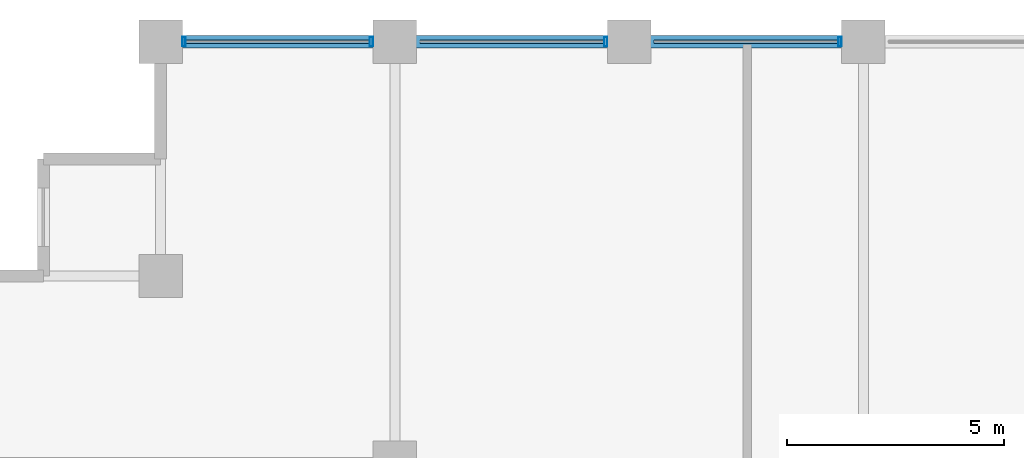
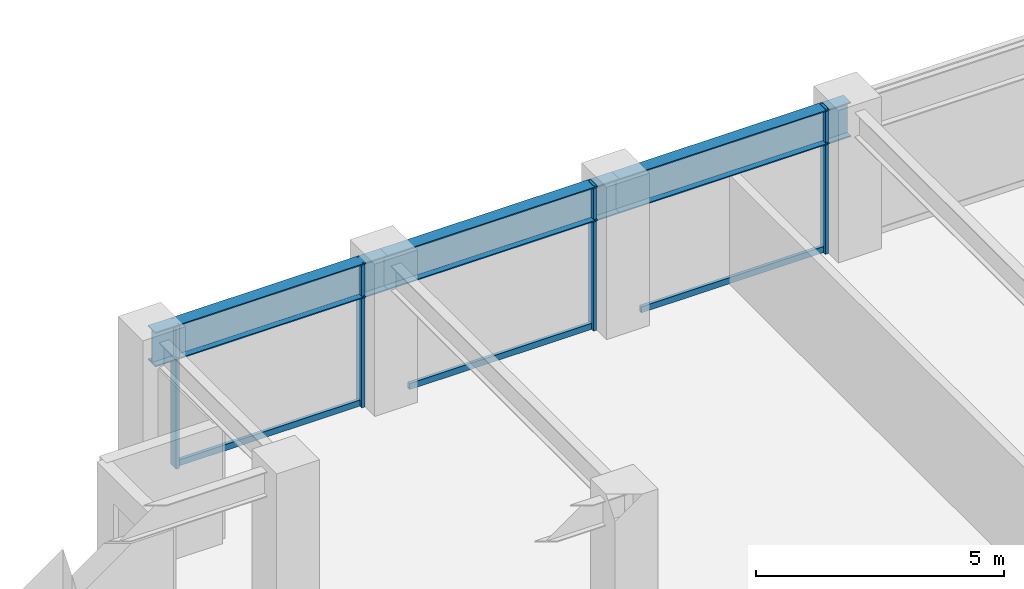
# One storey, part 13 of 26: 7 members, 3 beams, 1 element without a shape of its own.
"""IFC4 building model written with IfcOpenShell, lengths in metres."""

from ifc_helpers import new_model, si_unit, direction, frame, origin, origin_2d, place, context, subcontext, project, spatial, hollow_rectangle, i_section, extrude, material, layer, layer_set, material_profile, profile_set, type_object, element, aggregate, save


model = new_model("IFC4")

# Units and contexts
model_context = context("Model", 3, precision=1e-05, world=origin(), true_north=direction((0.0, 1.0)))
body_context = subcontext(model_context, "Body", "Model", "MODEL_VIEW")
ifc_project = project(units=[si_unit("LENGTHUNIT", "METRE"), si_unit("AREAUNIT", "SQUARE_METRE"), si_unit("VOLUMEUNIT", "CUBIC_METRE"), si_unit("PLANEANGLEUNIT", "RADIAN"), si_unit("MASSUNIT", "GRAM", prefix="KILO")], contexts=[model_context])

# Site, building, storey
site_placement = place(None, origin())
site = spatial("IfcSite", under=ifc_project, at=site_placement, CompositionType="ELEMENT")
building_placement = place(site_placement, origin())
building = spatial("IfcBuilding", under=site, at=building_placement, Name="Surkhivell Harbour Commons", CompositionType="ELEMENT")
storey_placement = place(building_placement, frame((0.0, 0.0, 143.25)))
storey = spatial("IfcBuildingStorey", under=building, at=storey_placement, Name="L37", CompositionType="ELEMENT", Elevation=143.25)

# Beams
ifc_material_1 = material(Name="Steel S460", Category="steel")
ifc_material_profile_1 = material_profile(ifc_material_1, i_section(OverallWidth=0.2939453125, OverallDepth=0.85107421875, WebThickness=0.01611328125, FlangeThickness=0.02685546875, at=origin_2d()), Name="UB838x292x226")
ifc_profile_set_1 = profile_set([ifc_material_profile_1], Name="Steel S460")
beam_type = type_object("IfcBeamType", Name="BM-SPN-838", PredefinedType="SPANDREL", material=ifc_profile_set_1)
beam_1_placement = place(storey_placement, frame((-27.0, 25.89990234375, 3.14453125), z_axis=(1.0, 0.0, 0.0), x_axis=(0.0, 1.0, 0.0)))
element("IfcBeam", 1, at=beam_1_placement, inside=storey, type_object=beam_type, Name="L37 Tube Spandrel (-27.0,25.9)", PredefinedType="SPANDREL", context=body_context, shape_type="SweptSolid", body=[
    extrude(i_section(OverallWidth=0.2939453125, OverallDepth=0.85107421875, WebThickness=0.01611328125, FlangeThickness=0.02685546875, at=origin_2d()), origin(), (0.0, 0.0, 1.0), 5.39990234375),
])
beam_2_placement = place(storey_placement, frame((-21.60009765625, 25.89990234375, 3.14453125), z_axis=(1.0, 0.0, 0.0), x_axis=(0.0, 1.0, 0.0)))
element("IfcBeam", 2, at=beam_2_placement, inside=storey, type_object=beam_type, Name="L37 Tube Spandrel (-21.6,25.9)", PredefinedType="SPANDREL", context=body_context, shape_type="SweptSolid", body=[
    extrude(i_section(OverallWidth=0.2939453125, OverallDepth=0.85107421875, WebThickness=0.01611328125, FlangeThickness=0.02685546875, at=origin_2d()), origin(), (0.0, 0.0, 1.0), 5.400146484375),
])
beam_3_placement = place(storey_placement, frame((-16.199951171875, 25.89990234375, 3.14453125), z_axis=(1.0, 0.0, 0.0), x_axis=(0.0, 1.0, 0.0)))
element("IfcBeam", 3, at=beam_3_placement, inside=storey, type_object=beam_type, Name="L37 Tube Spandrel (-16.2,25.9)", PredefinedType="SPANDREL", context=body_context, shape_type="SweptSolid", body=[
    extrude(i_section(OverallWidth=0.2939453125, OverallDepth=0.85107421875, WebThickness=0.01611328125, FlangeThickness=0.02685546875, at=origin_2d()), origin(), (0.0, 0.0, 1.0), 5.39990234375),
])

# Curtain wall, members
ifc_material_2 = material(Name="Anodised pale-metal aluminium and insulated glazing", Category="aluminium")
ifc_layer = layer(ifc_material_2, 0.205078125)
ifc_layer_set = layer_set([ifc_layer], Name="Anodised pale-metal aluminium and insulated glazing")
curtain_wall_type = type_object("IfcCurtainWallType", Name="CW-SYS-Z2", PredefinedType="NOTDEFINED", material=ifc_layer_set)
curtain_wall_placement = place(storey_placement, origin())
curtain_wall = element("IfcCurtainWall", 4, at=curtain_wall_placement, inside=storey, type_object=curtain_wall_type, Name="L37 Curtain Wall CW-L37-E07S2", PredefinedType="NOTDEFINED")
ifc_material_3 = material(Name="Anodised pale-metal aluminium alloy 6063-T6", Category="aluminium")
ifc_material_profile_2 = material_profile(ifc_material_3, hollow_rectangle(XDim=0.074951171875, YDim=0.219970703125, WallThickness=0.00390625, at=origin_2d()), Name="ALU-MULL-75x220")
ifc_profile_set_2 = profile_set([ifc_material_profile_2], Name="Anodised pale-metal aluminium alloy 6063-T6")
member_type_1 = type_object("IfcMemberType", Name="CWM-220", PredefinedType="MULLION", material=ifc_profile_set_2)
member_1_placement = place(storey_placement, frame((-11.339599609375, 25.89990234375, 0.0), z_axis=(0.0, 0.0, 1.0), x_axis=(-1.0, 0.0, 0.0)))
member_1 = element("IfcMember", 5, at=member_1_placement, type_object=member_type_1, Name="CW-Z2 mullion 2", PredefinedType="MULLION", context=body_context, shape_type="SweptSolid", body=[
    extrude(hollow_rectangle(XDim=0.074951171875, YDim=0.219970703125, WallThickness=0.00390625, at=origin_2d()), origin(), (0.0, 0.0, 1.0), 3.570068359375),
])
member_2_placement = place(storey_placement, frame((-16.739501953125, 25.89990234375, 0.0), z_axis=(0.0, 0.0, 1.0), x_axis=(-1.0, 0.0, 0.0)))
member_2 = element("IfcMember", 6, at=member_2_placement, type_object=member_type_1, Name="CW-Z2 mullion 3", PredefinedType="MULLION", context=body_context, shape_type="SweptSolid", body=[
    extrude(hollow_rectangle(XDim=0.074951171875, YDim=0.219970703125, WallThickness=0.00390625, at=origin_2d()), origin(), (0.0, 0.0, 1.0), 3.570068359375),
])
member_3_placement = place(storey_placement, frame((-22.139404296875, 25.89990234375, 0.0), z_axis=(0.0, 0.0, 1.0), x_axis=(-1.0, 0.0, 0.0)))
member_3 = element("IfcMember", 7, at=member_3_placement, type_object=member_type_1, Name="CW-Z2 mullion 4", PredefinedType="MULLION", context=body_context, shape_type="SweptSolid", body=[
    extrude(hollow_rectangle(XDim=0.074951171875, YDim=0.219970703125, WallThickness=0.00390625, at=origin_2d()), origin(), (0.0, 0.0, 1.0), 3.570068359375),
])
member_4_placement = place(storey_placement, frame((-26.46044921875, 25.89990234375, 0.0), z_axis=(0.0, 0.0, 1.0), x_axis=(-1.0, 0.0, 0.0)))
member_4 = element("IfcMember", 8, at=member_4_placement, type_object=member_type_1, Name="CW-Z2 mullion 5", PredefinedType="MULLION", context=body_context, shape_type="SweptSolid", body=[
    extrude(hollow_rectangle(XDim=0.074951171875, YDim=0.219970703125, WallThickness=0.00390625, at=origin_2d()), origin(), (0.0, 0.0, 1.0), 3.570068359375),
])
ifc_material_profile_3 = material_profile(ifc_material_3, hollow_rectangle(XDim=0.074951171875, YDim=0.14990234375, WallThickness=0.00341796875, at=origin_2d()), Name="ALU-TRAN-75x150")
ifc_profile_set_3 = profile_set([ifc_material_profile_3], Name="Anodised pale-metal aluminium alloy 6063-T6")
member_type_2 = type_object("IfcMemberType", Name="CWT-150", PredefinedType="USERDEFINED", material=ifc_profile_set_3)
member_5_placement = place(storey_placement, frame((-11.376953125, 25.89990234375, 0.074951171875), z_axis=(-1.0, 0.0, 0.0), x_axis=(0.0, -1.0, 0.0)))
member_5 = element("IfcMember", 9, at=member_5_placement, type_object=member_type_2, Name="CW-Z2 transom 2.1", ObjectType="TRANSOM", PredefinedType="USERDEFINED", context=body_context, shape_type="SweptSolid", body=[
    extrude(hollow_rectangle(XDim=0.074951171875, YDim=0.14990234375, WallThickness=0.00341796875, at=origin_2d()), origin(), (0.0, 0.0, 1.0), 4.24609375),
])
member_6_placement = place(storey_placement, frame((-16.777099609375, 25.89990234375, 0.074951171875), z_axis=(-1.0, 0.0, 0.0), x_axis=(0.0, -1.0, 0.0)))
member_6 = element("IfcMember", 10, at=member_6_placement, type_object=member_type_2, Name="CW-Z2 transom 3.1", ObjectType="TRANSOM", PredefinedType="USERDEFINED", context=body_context, shape_type="SweptSolid", body=[
    extrude(hollow_rectangle(XDim=0.074951171875, YDim=0.14990234375, WallThickness=0.00341796875, at=origin_2d()), origin(), (0.0, 0.0, 1.0), 4.245849609375),
])
member_7_placement = place(storey_placement, frame((-22.177001953125, 25.89990234375, 0.074951171875), z_axis=(-1.0, 0.0, 0.0), x_axis=(0.0, -1.0, 0.0)))
member_7 = element("IfcMember", 11, at=member_7_placement, type_object=member_type_2, Name="CW-Z2 transom 4.1", ObjectType="TRANSOM", PredefinedType="USERDEFINED", context=body_context, shape_type="SweptSolid", body=[
    extrude(hollow_rectangle(XDim=0.074951171875, YDim=0.14990234375, WallThickness=0.00341796875, at=origin_2d()), origin(), (0.0, 0.0, 1.0), 4.24609375),
])
aggregate(curtain_wall, [member_1, member_5, member_2, member_6, member_3, member_4, member_7])

save(model, "model.ifc")
